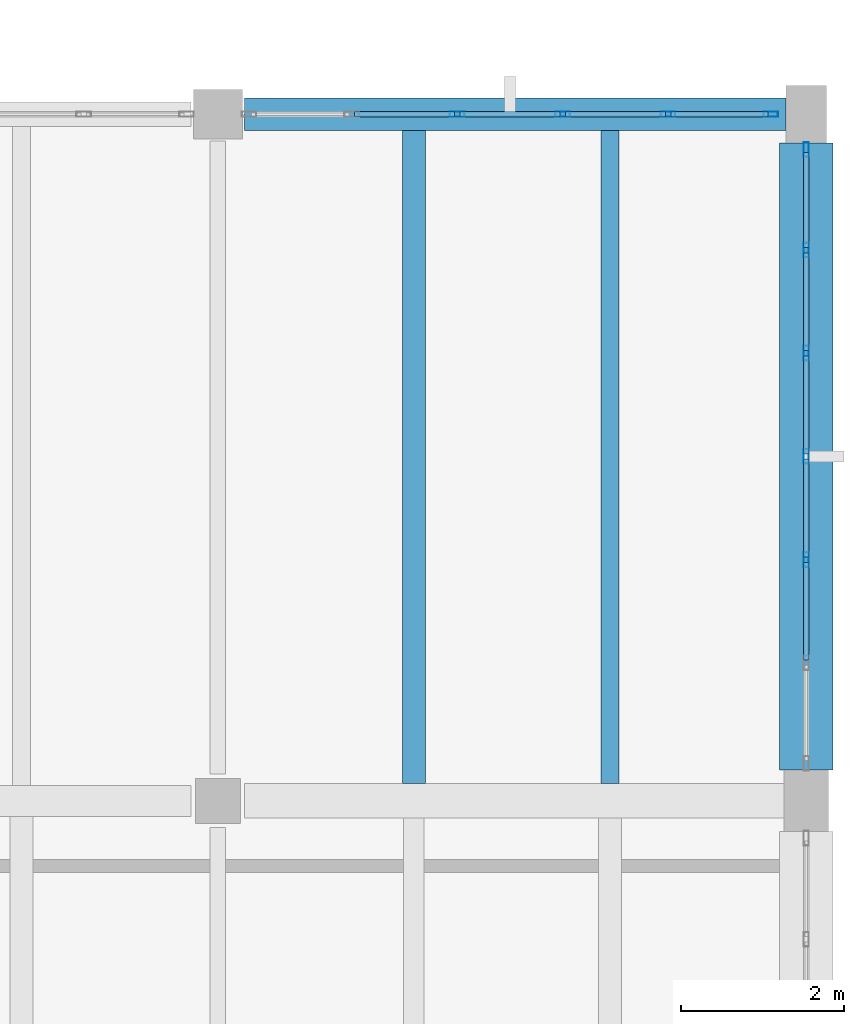
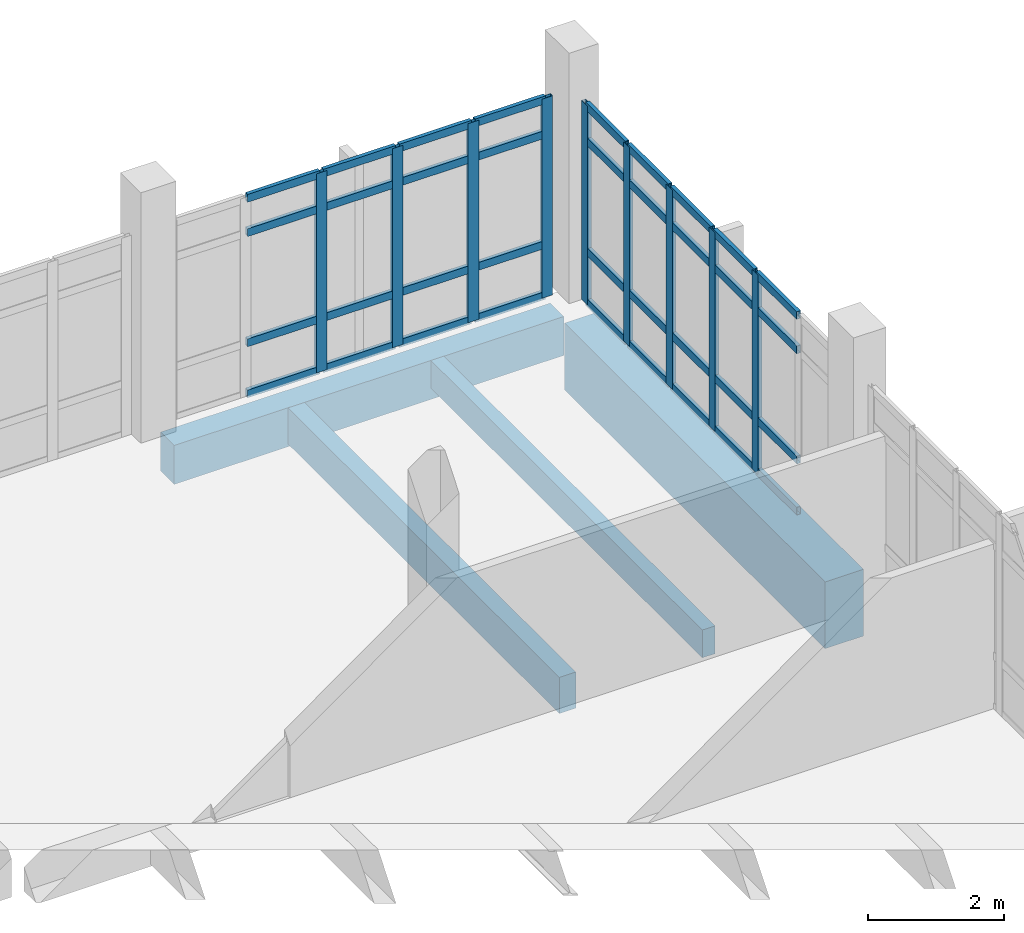
# One storey, part 57 of 87: 45 members, 4 beams, 2 elements without a shape of their own.
"""IFC4 building model written with IfcOpenShell, lengths in metres."""

from ifc_helpers import new_model, si_unit, direction, frame, origin, origin_2d, place, context, subcontext, project, spatial, rectangle, hollow_rectangle, extrude, material, material_profile, profile_set, type_object, element, aggregate, save


model = new_model("IFC4")

# Units and contexts
model_context = context("Model", 3, precision=1e-05, world=origin(), true_north=direction((0.0, 1.0)))
body_context = subcontext(model_context, "Body", "Model", "MODEL_VIEW")
ifc_project = project(units=[si_unit("LENGTHUNIT", "METRE"), si_unit("AREAUNIT", "SQUARE_METRE"), si_unit("VOLUMEUNIT", "CUBIC_METRE"), si_unit("PLANEANGLEUNIT", "RADIAN"), si_unit("MASSUNIT", "GRAM", prefix="KILO")], contexts=[model_context])

# Site, building, storey
site_placement = place(None, origin())
site = spatial("IfcSite", under=ifc_project, at=site_placement, CompositionType="ELEMENT")
building_placement = place(site_placement, origin())
building = spatial("IfcBuilding", under=site, at=building_placement, Name="Kalluvel Institute of Natural Sciences", CompositionType="ELEMENT")
storey_placement = place(building_placement, frame((0.0, 0.0, 18.89990234375)))
storey = spatial("IfcBuildingStorey", under=building, at=storey_placement, Name="L04", CompositionType="ELEMENT", Elevation=18.89990234375)

# Beam
ifc_material_1 = material(Name="Concrete M50", Category="concrete")
ifc_material_profile_1 = material_profile(ifc_material_1, rectangle(XDim=0.64990234375, YDim=1.199951171875, at=origin_2d()), Name="RCB 650x1200")
ifc_profile_set_1 = profile_set([ifc_material_profile_1], Name="Concrete M50")
beam_type_1 = type_object("IfcBeamType", Name="BM-RC650x1200", PredefinedType="BEAM", material=ifc_profile_set_1)
beam_1_placement = place(storey_placement, frame((114.800048828125, 119.97509765625, -0.919921875), z_axis=(0.0, 1.0, 0.0), x_axis=(-1.0, 0.0, 0.0)))
element("IfcBeam", 1, at=beam_1_placement, inside=storey, type_object=beam_type_1, Name="L04 girder GIR-L04-NS-X1148-Y1196", PredefinedType="BEAM", context=body_context, shape_type="SweptSolid", body=[
    extrude(rectangle(XDim=0.64990234375, YDim=1.199951171875, at=origin_2d()), origin(), (0.0, 0.0, 1.0), 7.6748046875),
])

# Curtain wall, members
ifc_material_2 = material(Name="Aluminium AW-6063 T6", Category="aluminium")
curtain_wall_type = type_object("IfcCurtainWallType", Name="CW-WET-45", PredefinedType="USERDEFINED", material=ifc_material_2)
curtain_wall_1_placement = place(storey_placement, origin())
curtain_wall_1 = element("IfcCurtainWall", 2, at=curtain_wall_1_placement, inside=storey, type_object=curtain_wall_type, Name="L04 Gothic lancet curtain wall CWA-L04-X1080-Y1280", ObjectType="UNITISED LANCET FACADE", PredefinedType="USERDEFINED")
ifc_material_profile_2 = material_profile(ifc_material_2, hollow_rectangle(XDim=0.06494140625, YDim=0.179931640625, WallThickness=0.00439453125, at=origin_2d()), Name="CWM 65x180")
ifc_profile_set_2 = profile_set([ifc_material_profile_2], Name="Aluminium AW-6063 T6")
member_type_1 = type_object("IfcMemberType", Name="CWM-65x180", PredefinedType="MULLION", material=ifc_profile_set_2)
member_1_placement = place(storey_placement, frame((110.530029296875, 128.0, 0.0), z_axis=(0.0, 0.0, 1.0), x_axis=(0.0, 1.0, 0.0)))
member_1 = element("IfcMember", 3, at=member_1_placement, type_object=member_type_1, Name="CW-01 mullion 3", PredefinedType="MULLION", context=body_context, shape_type="SweptSolid", body=[
    extrude(hollow_rectangle(XDim=0.06494140625, YDim=0.179931640625, WallThickness=0.00439453125, at=origin_2d()), origin(), (0.0, 0.0, 1.0), 3.580078125),
])
member_2_placement = place(storey_placement, frame((111.820068359375, 128.0, 0.0), z_axis=(0.0, 0.0, 1.0), x_axis=(0.0, 1.0, 0.0)))
member_2 = element("IfcMember", 4, at=member_2_placement, type_object=member_type_1, Name="CW-01 mullion 4", PredefinedType="MULLION", context=body_context, shape_type="SweptSolid", body=[
    extrude(hollow_rectangle(XDim=0.06494140625, YDim=0.179931640625, WallThickness=0.00439453125, at=origin_2d()), origin(), (0.0, 0.0, 1.0), 3.580078125),
])
member_3_placement = place(storey_placement, frame((113.110107421875, 128.0, 0.0), z_axis=(0.0, 0.0, 1.0), x_axis=(0.0, 1.0, 0.0)))
member_3 = element("IfcMember", 5, at=member_3_placement, type_object=member_type_1, Name="CW-01 mullion 5", PredefinedType="MULLION", context=body_context, shape_type="SweptSolid", body=[
    extrude(hollow_rectangle(XDim=0.06494140625, YDim=0.179931640625, WallThickness=0.00439453125, at=origin_2d()), origin(), (0.0, 0.0, 1.0), 3.580078125),
])
member_4_placement = place(storey_placement, frame((114.367431640625, 128.0, 0.0), z_axis=(0.0, 0.0, 1.0), x_axis=(0.0, 1.0, 0.0)))
member_4 = element("IfcMember", 6, at=member_4_placement, type_object=member_type_1, Name="CW-01 mullion 6", PredefinedType="MULLION", context=body_context, shape_type="SweptSolid", body=[
    extrude(hollow_rectangle(XDim=0.06494140625, YDim=0.179931640625, WallThickness=0.00439453125, at=origin_2d()), origin(), (0.0, 0.0, 1.0), 3.580078125),
])

curtain_wall_2_placement = place(storey_placement, origin())
curtain_wall_2 = element("IfcCurtainWall", 7, at=curtain_wall_2_placement, inside=storey, type_object=curtain_wall_type, Name="L04 Gothic lancet curtain wall CWA-L04-X1148-Y1200", ObjectType="UNITISED LANCET FACADE", PredefinedType="USERDEFINED")
member_5_placement = place(storey_placement, frame((114.800048828125, 122.550048828125, 0.0), z_axis=(0.0, 0.0, 1.0), x_axis=(-1.0, 0.0, 0.0)))
member_5 = element("IfcMember", 8, at=member_5_placement, type_object=member_type_1, Name="CW-01 mullion 3", PredefinedType="MULLION", context=body_context, shape_type="SweptSolid", body=[
    extrude(hollow_rectangle(XDim=0.06494140625, YDim=0.179931640625, WallThickness=0.00439453125, at=origin_2d()), origin(), (0.0, 0.0, 1.0), 3.580078125),
])
member_6_placement = place(storey_placement, frame((114.800048828125, 123.8125, 0.0), z_axis=(0.0, 0.0, 1.0), x_axis=(-1.0, 0.0, 0.0)))
member_6 = element("IfcMember", 9, at=member_6_placement, type_object=member_type_1, Name="CW-01 mullion 4", PredefinedType="MULLION", context=body_context, shape_type="SweptSolid", body=[
    extrude(hollow_rectangle(XDim=0.06494140625, YDim=0.179931640625, WallThickness=0.00439453125, at=origin_2d()), origin(), (0.0, 0.0, 1.0), 3.580078125),
])
member_7_placement = place(storey_placement, frame((114.800048828125, 125.074951171875, 0.0), z_axis=(0.0, 0.0, 1.0), x_axis=(-1.0, 0.0, 0.0)))
member_7 = element("IfcMember", 10, at=member_7_placement, type_object=member_type_1, Name="CW-01 mullion 5", PredefinedType="MULLION", context=body_context, shape_type="SweptSolid", body=[
    extrude(hollow_rectangle(XDim=0.06494140625, YDim=0.179931640625, WallThickness=0.00439453125, at=origin_2d()), origin(), (0.0, 0.0, 1.0), 3.580078125),
])
member_8_placement = place(storey_placement, frame((114.800048828125, 126.33740234375, 0.0), z_axis=(0.0, 0.0, 1.0), x_axis=(-1.0, 0.0, 0.0)))
member_8 = element("IfcMember", 11, at=member_8_placement, type_object=member_type_1, Name="CW-01 mullion 6", PredefinedType="MULLION", context=body_context, shape_type="SweptSolid", body=[
    extrude(hollow_rectangle(XDim=0.06494140625, YDim=0.179931640625, WallThickness=0.00439453125, at=origin_2d()), origin(), (0.0, 0.0, 1.0), 3.580078125),
])
member_9_placement = place(storey_placement, frame((114.800048828125, 127.5673828125, 0.0), z_axis=(0.0, 0.0, 1.0), x_axis=(-1.0, 0.0, 0.0)))
member_9 = element("IfcMember", 12, at=member_9_placement, type_object=member_type_1, Name="CW-01 mullion 7", PredefinedType="MULLION", context=body_context, shape_type="SweptSolid", body=[
    extrude(hollow_rectangle(XDim=0.06494140625, YDim=0.179931640625, WallThickness=0.00439453125, at=origin_2d()), origin(), (0.0, 0.0, 1.0), 3.580078125),
])

# Member
ifc_material_profile_3 = material_profile(ifc_material_2, hollow_rectangle(XDim=0.06494140625, YDim=0.139892578125, WallThickness=0.00439453125, at=origin_2d()), Name="CWT 65x140")
ifc_profile_set_3 = profile_set([ifc_material_profile_3], Name="Aluminium AW-6063 T6")
member_type_2 = type_object("IfcMemberType", Name="CWT-65x140", PredefinedType="USERDEFINED", material=ifc_profile_set_3)
member_10_placement = place(storey_placement, frame((109.2724609375, 128.0, 0.03271484375), z_axis=(1.0, 0.0, 0.0), x_axis=(0.0, 1.0, 0.0)))
member_10 = element("IfcMember", 13, at=member_10_placement, type_object=member_type_2, Name="CW-01 transom 2.1", ObjectType="TRANSOM", PredefinedType="USERDEFINED", context=body_context, shape_type="SweptSolid", body=[
    extrude(hollow_rectangle(XDim=0.06494140625, YDim=0.139892578125, WallThickness=0.00439453125, at=origin_2d()), origin(), (0.0, 0.0, 1.0), 1.22509765625),
])

member_11_placement = place(storey_placement, frame((109.2724609375, 128.0, 0.9501953125), z_axis=(1.0, 0.0, 0.0), x_axis=(0.0, 1.0, 0.0)))
member_11 = element("IfcMember", 14, at=member_11_placement, type_object=member_type_2, Name="CW-01 transom 2.2", ObjectType="TRANSOM", PredefinedType="USERDEFINED", context=body_context, shape_type="SweptSolid", body=[
    extrude(hollow_rectangle(XDim=0.06494140625, YDim=0.139892578125, WallThickness=0.00439453125, at=origin_2d()), origin(), (0.0, 0.0, 1.0), 1.22509765625),
])

member_12_placement = place(storey_placement, frame((109.2724609375, 128.0, 2.93017578125), z_axis=(1.0, 0.0, 0.0), x_axis=(0.0, 1.0, 0.0)))
member_12 = element("IfcMember", 15, at=member_12_placement, type_object=member_type_2, Name="CW-01 transom 2.3", ObjectType="TRANSOM", PredefinedType="USERDEFINED", context=body_context, shape_type="SweptSolid", body=[
    extrude(hollow_rectangle(XDim=0.06494140625, YDim=0.139892578125, WallThickness=0.00439453125, at=origin_2d()), origin(), (0.0, 0.0, 1.0), 1.22509765625),
])

member_13_placement = place(storey_placement, frame((109.2724609375, 128.0, 3.547607421875), z_axis=(1.0, 0.0, 0.0), x_axis=(0.0, 1.0, 0.0)))
member_13 = element("IfcMember", 16, at=member_13_placement, type_object=member_type_2, Name="CW-01 transom 2.4", ObjectType="TRANSOM", PredefinedType="USERDEFINED", context=body_context, shape_type="SweptSolid", body=[
    extrude(hollow_rectangle(XDim=0.06494140625, YDim=0.139892578125, WallThickness=0.00439453125, at=origin_2d()), origin(), (0.0, 0.0, 1.0), 1.22509765625),
])

member_14_placement = place(storey_placement, frame((110.5625, 128.0, 0.03271484375), z_axis=(1.0, 0.0, 0.0), x_axis=(0.0, 1.0, 0.0)))
member_14 = element("IfcMember", 17, at=member_14_placement, type_object=member_type_2, Name="CW-01 transom 3.1", ObjectType="TRANSOM", PredefinedType="USERDEFINED", context=body_context, shape_type="SweptSolid", body=[
    extrude(hollow_rectangle(XDim=0.06494140625, YDim=0.139892578125, WallThickness=0.00439453125, at=origin_2d()), origin(), (0.0, 0.0, 1.0), 1.22509765625),
])

member_15_placement = place(storey_placement, frame((110.5625, 128.0, 0.9501953125), z_axis=(1.0, 0.0, 0.0), x_axis=(0.0, 1.0, 0.0)))
member_15 = element("IfcMember", 18, at=member_15_placement, type_object=member_type_2, Name="CW-01 transom 3.2", ObjectType="TRANSOM", PredefinedType="USERDEFINED", context=body_context, shape_type="SweptSolid", body=[
    extrude(hollow_rectangle(XDim=0.06494140625, YDim=0.139892578125, WallThickness=0.00439453125, at=origin_2d()), origin(), (0.0, 0.0, 1.0), 1.22509765625),
])

member_16_placement = place(storey_placement, frame((110.5625, 128.0, 2.93017578125), z_axis=(1.0, 0.0, 0.0), x_axis=(0.0, 1.0, 0.0)))
member_16 = element("IfcMember", 19, at=member_16_placement, type_object=member_type_2, Name="CW-01 transom 3.3", ObjectType="TRANSOM", PredefinedType="USERDEFINED", context=body_context, shape_type="SweptSolid", body=[
    extrude(hollow_rectangle(XDim=0.06494140625, YDim=0.139892578125, WallThickness=0.00439453125, at=origin_2d()), origin(), (0.0, 0.0, 1.0), 1.22509765625),
])

member_17_placement = place(storey_placement, frame((110.5625, 128.0, 3.547607421875), z_axis=(1.0, 0.0, 0.0), x_axis=(0.0, 1.0, 0.0)))
member_17 = element("IfcMember", 20, at=member_17_placement, type_object=member_type_2, Name="CW-01 transom 3.4", ObjectType="TRANSOM", PredefinedType="USERDEFINED", context=body_context, shape_type="SweptSolid", body=[
    extrude(hollow_rectangle(XDim=0.06494140625, YDim=0.139892578125, WallThickness=0.00439453125, at=origin_2d()), origin(), (0.0, 0.0, 1.0), 1.22509765625),
])

member_18_placement = place(storey_placement, frame((111.8525390625, 128.0, 0.03271484375), z_axis=(1.0, 0.0, 0.0), x_axis=(0.0, 1.0, 0.0)))
member_18 = element("IfcMember", 21, at=member_18_placement, type_object=member_type_2, Name="CW-01 transom 4.1", ObjectType="TRANSOM", PredefinedType="USERDEFINED", context=body_context, shape_type="SweptSolid", body=[
    extrude(hollow_rectangle(XDim=0.06494140625, YDim=0.139892578125, WallThickness=0.00439453125, at=origin_2d()), origin(), (0.0, 0.0, 1.0), 1.224853515625),
])

member_19_placement = place(storey_placement, frame((111.8525390625, 128.0, 0.9501953125), z_axis=(1.0, 0.0, 0.0), x_axis=(0.0, 1.0, 0.0)))
member_19 = element("IfcMember", 22, at=member_19_placement, type_object=member_type_2, Name="CW-01 transom 4.2", ObjectType="TRANSOM", PredefinedType="USERDEFINED", context=body_context, shape_type="SweptSolid", body=[
    extrude(hollow_rectangle(XDim=0.06494140625, YDim=0.139892578125, WallThickness=0.00439453125, at=origin_2d()), origin(), (0.0, 0.0, 1.0), 1.224853515625),
])

member_20_placement = place(storey_placement, frame((111.8525390625, 128.0, 2.93017578125), z_axis=(1.0, 0.0, 0.0), x_axis=(0.0, 1.0, 0.0)))
member_20 = element("IfcMember", 23, at=member_20_placement, type_object=member_type_2, Name="CW-01 transom 4.3", ObjectType="TRANSOM", PredefinedType="USERDEFINED", context=body_context, shape_type="SweptSolid", body=[
    extrude(hollow_rectangle(XDim=0.06494140625, YDim=0.139892578125, WallThickness=0.00439453125, at=origin_2d()), origin(), (0.0, 0.0, 1.0), 1.224853515625),
])

member_21_placement = place(storey_placement, frame((111.8525390625, 128.0, 3.547607421875), z_axis=(1.0, 0.0, 0.0), x_axis=(0.0, 1.0, 0.0)))
member_21 = element("IfcMember", 24, at=member_21_placement, type_object=member_type_2, Name="CW-01 transom 4.4", ObjectType="TRANSOM", PredefinedType="USERDEFINED", context=body_context, shape_type="SweptSolid", body=[
    extrude(hollow_rectangle(XDim=0.06494140625, YDim=0.139892578125, WallThickness=0.00439453125, at=origin_2d()), origin(), (0.0, 0.0, 1.0), 1.224853515625),
])

member_22_placement = place(storey_placement, frame((113.142578125, 128.0, 0.03271484375), z_axis=(1.0, 0.0, 0.0), x_axis=(0.0, 1.0, 0.0)))
member_22 = element("IfcMember", 25, at=member_22_placement, type_object=member_type_2, Name="CW-01 transom 5.1", ObjectType="TRANSOM", PredefinedType="USERDEFINED", context=body_context, shape_type="SweptSolid", body=[
    extrude(hollow_rectangle(XDim=0.06494140625, YDim=0.139892578125, WallThickness=0.00439453125, at=origin_2d()), origin(), (0.0, 0.0, 1.0), 1.1923828125),
])

member_23_placement = place(storey_placement, frame((113.142578125, 128.0, 0.9501953125), z_axis=(1.0, 0.0, 0.0), x_axis=(0.0, 1.0, 0.0)))
member_23 = element("IfcMember", 26, at=member_23_placement, type_object=member_type_2, Name="CW-01 transom 5.2", ObjectType="TRANSOM", PredefinedType="USERDEFINED", context=body_context, shape_type="SweptSolid", body=[
    extrude(hollow_rectangle(XDim=0.06494140625, YDim=0.139892578125, WallThickness=0.00439453125, at=origin_2d()), origin(), (0.0, 0.0, 1.0), 1.1923828125),
])

member_24_placement = place(storey_placement, frame((113.142578125, 128.0, 2.93017578125), z_axis=(1.0, 0.0, 0.0), x_axis=(0.0, 1.0, 0.0)))
member_24 = element("IfcMember", 27, at=member_24_placement, type_object=member_type_2, Name="CW-01 transom 5.3", ObjectType="TRANSOM", PredefinedType="USERDEFINED", context=body_context, shape_type="SweptSolid", body=[
    extrude(hollow_rectangle(XDim=0.06494140625, YDim=0.139892578125, WallThickness=0.00439453125, at=origin_2d()), origin(), (0.0, 0.0, 1.0), 1.1923828125),
])

member_25_placement = place(storey_placement, frame((113.142578125, 128.0, 3.547607421875), z_axis=(1.0, 0.0, 0.0), x_axis=(0.0, 1.0, 0.0)))
member_25 = element("IfcMember", 28, at=member_25_placement, type_object=member_type_2, Name="CW-01 transom 5.4", ObjectType="TRANSOM", PredefinedType="USERDEFINED", context=body_context, shape_type="SweptSolid", body=[
    extrude(hollow_rectangle(XDim=0.06494140625, YDim=0.139892578125, WallThickness=0.00439453125, at=origin_2d()), origin(), (0.0, 0.0, 1.0), 1.1923828125),
])

aggregate(curtain_wall_1, [member_1, member_2, member_3, member_4, member_10, member_11, member_12, member_13, member_14, member_15, member_16, member_17, member_18, member_19, member_20, member_21, member_22, member_23, member_24, member_25])

member_26_placement = place(storey_placement, frame((114.800048828125, 121.320068359375, 0.03271484375), z_axis=(0.0, 1.0, 0.0), x_axis=(-1.0, 0.0, 0.0)))
member_26 = element("IfcMember", 29, at=member_26_placement, type_object=member_type_2, Name="CW-01 transom 2.1", ObjectType="TRANSOM", PredefinedType="USERDEFINED", context=body_context, shape_type="SweptSolid", body=[
    extrude(hollow_rectangle(XDim=0.06494140625, YDim=0.139892578125, WallThickness=0.00439453125, at=origin_2d()), origin(), (0.0, 0.0, 1.0), 1.197509765625),
])

member_27_placement = place(storey_placement, frame((114.800048828125, 121.320068359375, 0.9501953125), z_axis=(0.0, 1.0, 0.0), x_axis=(-1.0, 0.0, 0.0)))
member_27 = element("IfcMember", 30, at=member_27_placement, type_object=member_type_2, Name="CW-01 transom 2.2", ObjectType="TRANSOM", PredefinedType="USERDEFINED", context=body_context, shape_type="SweptSolid", body=[
    extrude(hollow_rectangle(XDim=0.06494140625, YDim=0.139892578125, WallThickness=0.00439453125, at=origin_2d()), origin(), (0.0, 0.0, 1.0), 1.197509765625),
])

member_28_placement = place(storey_placement, frame((114.800048828125, 121.320068359375, 2.93017578125), z_axis=(0.0, 1.0, 0.0), x_axis=(-1.0, 0.0, 0.0)))
member_28 = element("IfcMember", 31, at=member_28_placement, type_object=member_type_2, Name="CW-01 transom 2.3", ObjectType="TRANSOM", PredefinedType="USERDEFINED", context=body_context, shape_type="SweptSolid", body=[
    extrude(hollow_rectangle(XDim=0.06494140625, YDim=0.139892578125, WallThickness=0.00439453125, at=origin_2d()), origin(), (0.0, 0.0, 1.0), 1.197509765625),
])

member_29_placement = place(storey_placement, frame((114.800048828125, 121.320068359375, 3.547607421875), z_axis=(0.0, 1.0, 0.0), x_axis=(-1.0, 0.0, 0.0)))
member_29 = element("IfcMember", 32, at=member_29_placement, type_object=member_type_2, Name="CW-01 transom 2.4", ObjectType="TRANSOM", PredefinedType="USERDEFINED", context=body_context, shape_type="SweptSolid", body=[
    extrude(hollow_rectangle(XDim=0.06494140625, YDim=0.139892578125, WallThickness=0.00439453125, at=origin_2d()), origin(), (0.0, 0.0, 1.0), 1.197509765625),
])

member_30_placement = place(storey_placement, frame((114.800048828125, 122.58251953125, 0.03271484375), z_axis=(0.0, 1.0, 0.0), x_axis=(-1.0, 0.0, 0.0)))
member_30 = element("IfcMember", 33, at=member_30_placement, type_object=member_type_2, Name="CW-01 transom 3.1", ObjectType="TRANSOM", PredefinedType="USERDEFINED", context=body_context, shape_type="SweptSolid", body=[
    extrude(hollow_rectangle(XDim=0.06494140625, YDim=0.139892578125, WallThickness=0.00439453125, at=origin_2d()), origin(), (0.0, 0.0, 1.0), 1.197509765625),
])

member_31_placement = place(storey_placement, frame((114.800048828125, 122.58251953125, 0.9501953125), z_axis=(0.0, 1.0, 0.0), x_axis=(-1.0, 0.0, 0.0)))
member_31 = element("IfcMember", 34, at=member_31_placement, type_object=member_type_2, Name="CW-01 transom 3.2", ObjectType="TRANSOM", PredefinedType="USERDEFINED", context=body_context, shape_type="SweptSolid", body=[
    extrude(hollow_rectangle(XDim=0.06494140625, YDim=0.139892578125, WallThickness=0.00439453125, at=origin_2d()), origin(), (0.0, 0.0, 1.0), 1.197509765625),
])

member_32_placement = place(storey_placement, frame((114.800048828125, 122.58251953125, 2.93017578125), z_axis=(0.0, 1.0, 0.0), x_axis=(-1.0, 0.0, 0.0)))
member_32 = element("IfcMember", 35, at=member_32_placement, type_object=member_type_2, Name="CW-01 transom 3.3", ObjectType="TRANSOM", PredefinedType="USERDEFINED", context=body_context, shape_type="SweptSolid", body=[
    extrude(hollow_rectangle(XDim=0.06494140625, YDim=0.139892578125, WallThickness=0.00439453125, at=origin_2d()), origin(), (0.0, 0.0, 1.0), 1.197509765625),
])

member_33_placement = place(storey_placement, frame((114.800048828125, 122.58251953125, 3.547607421875), z_axis=(0.0, 1.0, 0.0), x_axis=(-1.0, 0.0, 0.0)))
member_33 = element("IfcMember", 36, at=member_33_placement, type_object=member_type_2, Name="CW-01 transom 3.4", ObjectType="TRANSOM", PredefinedType="USERDEFINED", context=body_context, shape_type="SweptSolid", body=[
    extrude(hollow_rectangle(XDim=0.06494140625, YDim=0.139892578125, WallThickness=0.00439453125, at=origin_2d()), origin(), (0.0, 0.0, 1.0), 1.197509765625),
])

member_34_placement = place(storey_placement, frame((114.800048828125, 123.844970703125, 0.03271484375), z_axis=(0.0, 1.0, 0.0), x_axis=(-1.0, 0.0, 0.0)))
member_34 = element("IfcMember", 37, at=member_34_placement, type_object=member_type_2, Name="CW-01 transom 4.1", ObjectType="TRANSOM", PredefinedType="USERDEFINED", context=body_context, shape_type="SweptSolid", body=[
    extrude(hollow_rectangle(XDim=0.06494140625, YDim=0.139892578125, WallThickness=0.00439453125, at=origin_2d()), origin(), (0.0, 0.0, 1.0), 1.197509765625),
])

member_35_placement = place(storey_placement, frame((114.800048828125, 123.844970703125, 0.9501953125), z_axis=(0.0, 1.0, 0.0), x_axis=(-1.0, 0.0, 0.0)))
member_35 = element("IfcMember", 38, at=member_35_placement, type_object=member_type_2, Name="CW-01 transom 4.2", ObjectType="TRANSOM", PredefinedType="USERDEFINED", context=body_context, shape_type="SweptSolid", body=[
    extrude(hollow_rectangle(XDim=0.06494140625, YDim=0.139892578125, WallThickness=0.00439453125, at=origin_2d()), origin(), (0.0, 0.0, 1.0), 1.197509765625),
])

member_36_placement = place(storey_placement, frame((114.800048828125, 123.844970703125, 2.93017578125), z_axis=(0.0, 1.0, 0.0), x_axis=(-1.0, 0.0, 0.0)))
member_36 = element("IfcMember", 39, at=member_36_placement, type_object=member_type_2, Name="CW-01 transom 4.3", ObjectType="TRANSOM", PredefinedType="USERDEFINED", context=body_context, shape_type="SweptSolid", body=[
    extrude(hollow_rectangle(XDim=0.06494140625, YDim=0.139892578125, WallThickness=0.00439453125, at=origin_2d()), origin(), (0.0, 0.0, 1.0), 1.197509765625),
])

member_37_placement = place(storey_placement, frame((114.800048828125, 123.844970703125, 3.547607421875), z_axis=(0.0, 1.0, 0.0), x_axis=(-1.0, 0.0, 0.0)))
member_37 = element("IfcMember", 40, at=member_37_placement, type_object=member_type_2, Name="CW-01 transom 4.4", ObjectType="TRANSOM", PredefinedType="USERDEFINED", context=body_context, shape_type="SweptSolid", body=[
    extrude(hollow_rectangle(XDim=0.06494140625, YDim=0.139892578125, WallThickness=0.00439453125, at=origin_2d()), origin(), (0.0, 0.0, 1.0), 1.197509765625),
])

member_38_placement = place(storey_placement, frame((114.800048828125, 125.107421875, 0.03271484375), z_axis=(0.0, 1.0, 0.0), x_axis=(-1.0, 0.0, 0.0)))
member_38 = element("IfcMember", 41, at=member_38_placement, type_object=member_type_2, Name="CW-01 transom 5.1", ObjectType="TRANSOM", PredefinedType="USERDEFINED", context=body_context, shape_type="SweptSolid", body=[
    extrude(hollow_rectangle(XDim=0.06494140625, YDim=0.139892578125, WallThickness=0.00439453125, at=origin_2d()), origin(), (0.0, 0.0, 1.0), 1.197509765625),
])

member_39_placement = place(storey_placement, frame((114.800048828125, 125.107421875, 0.9501953125), z_axis=(0.0, 1.0, 0.0), x_axis=(-1.0, 0.0, 0.0)))
member_39 = element("IfcMember", 42, at=member_39_placement, type_object=member_type_2, Name="CW-01 transom 5.2", ObjectType="TRANSOM", PredefinedType="USERDEFINED", context=body_context, shape_type="SweptSolid", body=[
    extrude(hollow_rectangle(XDim=0.06494140625, YDim=0.139892578125, WallThickness=0.00439453125, at=origin_2d()), origin(), (0.0, 0.0, 1.0), 1.197509765625),
])

member_40_placement = place(storey_placement, frame((114.800048828125, 125.107421875, 2.93017578125), z_axis=(0.0, 1.0, 0.0), x_axis=(-1.0, 0.0, 0.0)))
member_40 = element("IfcMember", 43, at=member_40_placement, type_object=member_type_2, Name="CW-01 transom 5.3", ObjectType="TRANSOM", PredefinedType="USERDEFINED", context=body_context, shape_type="SweptSolid", body=[
    extrude(hollow_rectangle(XDim=0.06494140625, YDim=0.139892578125, WallThickness=0.00439453125, at=origin_2d()), origin(), (0.0, 0.0, 1.0), 1.197509765625),
])

member_41_placement = place(storey_placement, frame((114.800048828125, 125.107421875, 3.547607421875), z_axis=(0.0, 1.0, 0.0), x_axis=(-1.0, 0.0, 0.0)))
member_41 = element("IfcMember", 44, at=member_41_placement, type_object=member_type_2, Name="CW-01 transom 5.4", ObjectType="TRANSOM", PredefinedType="USERDEFINED", context=body_context, shape_type="SweptSolid", body=[
    extrude(hollow_rectangle(XDim=0.06494140625, YDim=0.139892578125, WallThickness=0.00439453125, at=origin_2d()), origin(), (0.0, 0.0, 1.0), 1.197509765625),
])

member_42_placement = place(storey_placement, frame((114.800048828125, 126.3701171875, 0.03271484375), z_axis=(0.0, 1.0, 0.0), x_axis=(-1.0, 0.0, 0.0)))
member_42 = element("IfcMember", 45, at=member_42_placement, type_object=member_type_2, Name="CW-01 transom 6.1", ObjectType="TRANSOM", PredefinedType="USERDEFINED", context=body_context, shape_type="SweptSolid", body=[
    extrude(hollow_rectangle(XDim=0.06494140625, YDim=0.139892578125, WallThickness=0.00439453125, at=origin_2d()), origin(), (0.0, 0.0, 1.0), 1.164794921875),
])

member_43_placement = place(storey_placement, frame((114.800048828125, 126.3701171875, 0.9501953125), z_axis=(0.0, 1.0, 0.0), x_axis=(-1.0, 0.0, 0.0)))
member_43 = element("IfcMember", 46, at=member_43_placement, type_object=member_type_2, Name="CW-01 transom 6.2", ObjectType="TRANSOM", PredefinedType="USERDEFINED", context=body_context, shape_type="SweptSolid", body=[
    extrude(hollow_rectangle(XDim=0.06494140625, YDim=0.139892578125, WallThickness=0.00439453125, at=origin_2d()), origin(), (0.0, 0.0, 1.0), 1.164794921875),
])

member_44_placement = place(storey_placement, frame((114.800048828125, 126.3701171875, 2.93017578125), z_axis=(0.0, 1.0, 0.0), x_axis=(-1.0, 0.0, 0.0)))
member_44 = element("IfcMember", 47, at=member_44_placement, type_object=member_type_2, Name="CW-01 transom 6.3", ObjectType="TRANSOM", PredefinedType="USERDEFINED", context=body_context, shape_type="SweptSolid", body=[
    extrude(hollow_rectangle(XDim=0.06494140625, YDim=0.139892578125, WallThickness=0.00439453125, at=origin_2d()), origin(), (0.0, 0.0, 1.0), 1.164794921875),
])

member_45_placement = place(storey_placement, frame((114.800048828125, 126.3701171875, 3.547607421875), z_axis=(0.0, 1.0, 0.0), x_axis=(-1.0, 0.0, 0.0)))
member_45 = element("IfcMember", 48, at=member_45_placement, type_object=member_type_2, Name="CW-01 transom 6.4", ObjectType="TRANSOM", PredefinedType="USERDEFINED", context=body_context, shape_type="SweptSolid", body=[
    extrude(hollow_rectangle(XDim=0.06494140625, YDim=0.139892578125, WallThickness=0.00439453125, at=origin_2d()), origin(), (0.0, 0.0, 1.0), 1.164794921875),
])

aggregate(curtain_wall_2, [member_5, member_6, member_7, member_8, member_9, member_26, member_27, member_28, member_29, member_30, member_31, member_32, member_33, member_34, member_35, member_36, member_37, member_38, member_39, member_40, member_41, member_42, member_43, member_44, member_45])

# Beams
ifc_material_3 = material(Name="Concrete M40", Category="concrete")
ifc_material_profile_4 = material_profile(ifc_material_3, rectangle(XDim=0.39990234375, YDim=0.699951171875, at=origin_2d()), Name="RCB 400x700")
ifc_profile_set_4 = profile_set([ifc_material_profile_4], Name="Concrete M40")
beam_type_2 = type_object("IfcBeamType", Name="SP-RC400x700", PredefinedType="SPANDREL", material=ifc_profile_set_4)
beam_2_placement = place(storey_placement, frame((107.925048828125, 128.0, -0.669921875), z_axis=(1.0, 0.0, 0.0), x_axis=(0.0, 1.0, 0.0)))
element("IfcBeam", 49, at=beam_2_placement, inside=storey, type_object=beam_type_2, Name="L04 girder GIR-L04-EW-X1076-Y1280", PredefinedType="SPANDREL", context=body_context, shape_type="SweptSolid", body=[
    extrude(rectangle(XDim=0.39990234375, YDim=0.699951171875, at=origin_2d()), origin(), (0.0, 0.0, 1.0), 6.625),
])
ifc_material_profile_5 = material_profile(ifc_material_3, rectangle(XDim=0.219970703125, YDim=0.5, at=origin_2d()), Name="WAF 220x500")
ifc_profile_set_5 = profile_set([ifc_material_profile_5], Name="Concrete M40")
beam_type_3 = type_object("IfcBeamType", Name="WJ-220x500", PredefinedType="JOIST", material=ifc_profile_set_5)
beam_3_placement = place(storey_placement, frame((112.39990234375, 119.81005859375, -0.56982421875), z_axis=(0.0, 1.0, 0.0), x_axis=(-1.0, 0.0, 0.0)))
element("IfcBeam", 50, at=beam_3_placement, inside=storey, type_object=beam_type_3, Name="L04 waffle joist RIB-L04-0367", PredefinedType="JOIST", context=body_context, shape_type="SweptSolid", body=[
    extrude(rectangle(XDim=0.219970703125, YDim=0.5, at=origin_2d()), origin(), (0.0, 0.0, 1.0), 7.989990234375),
])
ifc_material_profile_6 = material_profile(ifc_material_1, rectangle(XDim=0.280029296875, YDim=0.64990234375, at=origin_2d()), Name="WAF 280x650")
ifc_profile_set_6 = profile_set([ifc_material_profile_6], Name="Concrete M50")
beam_type_4 = type_object("IfcBeamType", Name="WJ-280x650", PredefinedType="JOIST", material=ifc_profile_set_6)
beam_4_placement = place(storey_placement, frame((110.0, 119.81005859375, -0.64501953125), z_axis=(0.0, 1.0, 0.0), x_axis=(-1.0, 0.0, 0.0)))
element("IfcBeam", 51, at=beam_4_placement, inside=storey, type_object=beam_type_4, Name="L04 waffle joist RIB-L04-0366", PredefinedType="JOIST", context=body_context, shape_type="SweptSolid", body=[
    extrude(rectangle(XDim=0.280029296875, YDim=0.64990234375, at=origin_2d()), origin(), (0.0, 0.0, 1.0), 7.989990234375),
])

save(model, "model.ifc")
